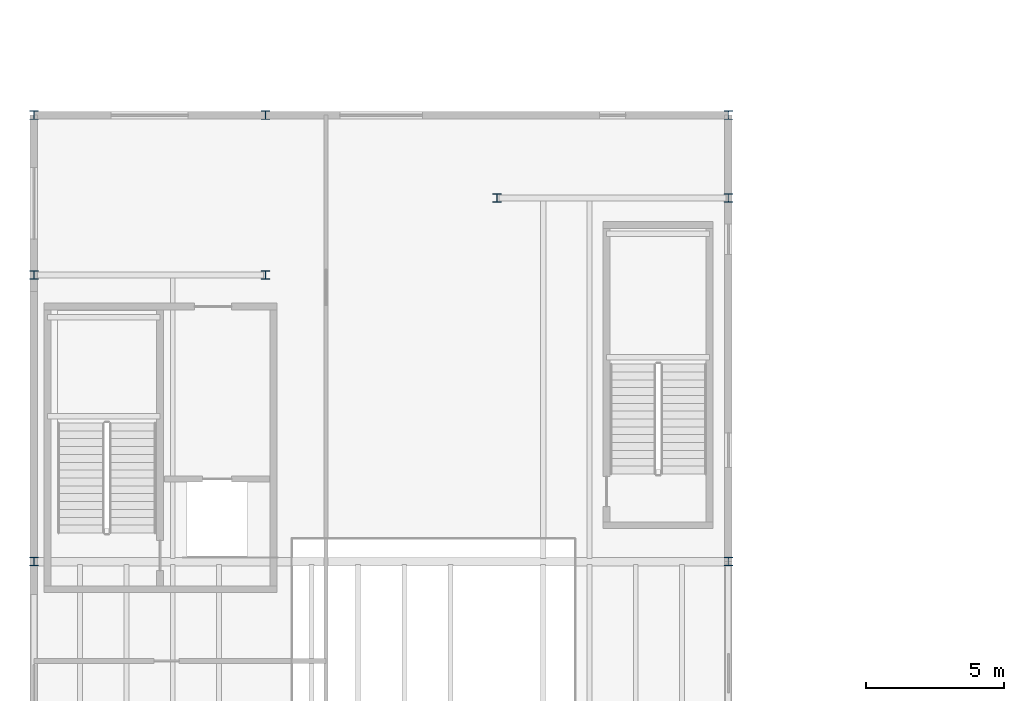
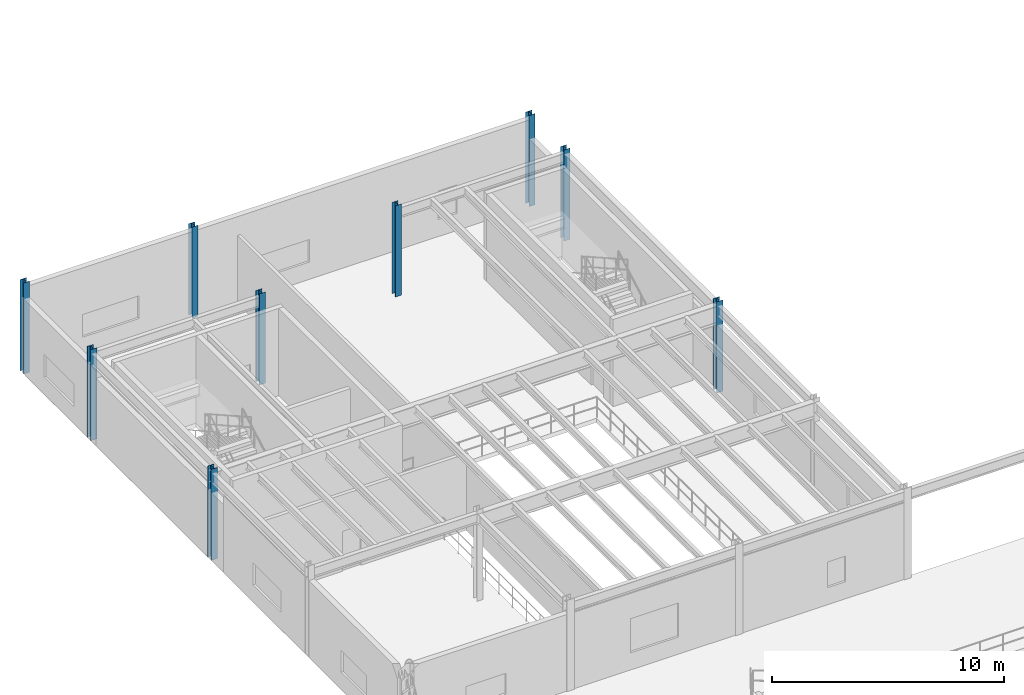
# One storey, part 9 of 105: 9 columns.
"""IFC4 building model written with IfcOpenShell, lengths in metres."""

from ifc_helpers import new_model, si_unit, direction, frame, origin, origin_2d, place, context, subcontext, project, spatial, i_section, extrude, material, material_profile, profile_set, type_object, element, save


model = new_model("IFC4")

# Units and contexts
model_context = context("Model", 3, precision=1e-05, world=origin(), true_north=direction((0.0, 1.0)))
body_context = subcontext(model_context, "Body", "Model", "MODEL_VIEW")
ifc_project = project(units=[si_unit("LENGTHUNIT", "METRE"), si_unit("AREAUNIT", "SQUARE_METRE"), si_unit("VOLUMEUNIT", "CUBIC_METRE"), si_unit("PLANEANGLEUNIT", "RADIAN"), si_unit("MASSUNIT", "GRAM", prefix="KILO")], contexts=[model_context])

# Site, building, storey
site_placement = place(None, origin())
site = spatial("IfcSite", under=ifc_project, at=site_placement, CompositionType="ELEMENT")
building_placement = place(site_placement, origin())
building = spatial("IfcBuilding", under=site, at=building_placement, Name="Selat Folded Stagehouse", CompositionType="ELEMENT")
storey_placement = place(building_placement, frame((0.0, 0.0, 10.199951171875)))
storey = spatial("IfcBuildingStorey", under=building, at=storey_placement, Name="L02", CompositionType="ELEMENT", Elevation=10.199951171875)

# Columns
ifc_material = material(Name="Steel S355", Category="steel")
ifc_material_profile = material_profile(ifc_material, i_section(OverallWidth=0.305419921875, OverallDepth=0.307861328125, WebThickness=0.010009765625, FlangeThickness=0.015380859375, FilletRadius=0.01513671875, at=origin_2d()), Name="UKC 305x305x97")
ifc_profile_set = profile_set([ifc_material_profile], Name="Steel S355")
column_type = type_object("IfcColumnType", Name="COL-UKC-305x305x97", PredefinedType="COLUMN", material=ifc_profile_set)
for number, where, z_axis, x_axis, name in (
    (1, (0.0, 70.800048828125, 0.0), (0.0, 0.0, 1.0), (1.0, 0.0, 0.0), "L02 column STK-V4-02"),
    (2, (0.0, 81.199951171875, 0.0), (0.0, 0.0, 1.0), (1.0, 0.0, 0.0), "L02 column STK-V4-03"),
    (3, (0.0, 87.0, 0.0), (0.0, 0.0, 1.0), (1.0, 0.0, 0.0), "L02 column STK-V4-04"),
    (4, (8.39990234375, 81.199951171875, 0.0), (0.0, 0.0, 1.0), (1.0, 0.0, 0.0), "L02 column STK-V4-06"),
    (5, (8.39990234375, 87.0, 0.0), (0.0, 0.0, 1.0), (1.0, 0.0, 0.0), "L02 column STK-V4-07"),
    (6, (16.800048828125, 84.0, 0.0), (0.0, 0.0, 1.0), (1.0, 0.0, 0.0), "L02 column STK-V4-08"),
    (7, (25.199951171875, 70.800048828125, 0.0), (0.0, 0.0, 1.0), (1.0, 0.0, 0.0), "L02 column STK-V4-11"),
    (8, (25.199951171875, 84.0, 0.0), (0.0, 0.0, 1.0), (1.0, 0.0, 0.0), "L02 column STK-V4-12"),
    (9, (25.199951171875, 87.0, 0.0), (0.0, 0.0, 1.0), (1.0, 0.0, 0.0), "L02 column STK-V4-13"),
):
    element("IfcColumn", number, at=place(storey_placement, frame(where, z_axis=z_axis, x_axis=x_axis)), inside=storey, type_object=column_type, Name=name, PredefinedType="COLUMN", context=body_context, shape_type="SweptSolid", body=[
        extrude(i_section(OverallWidth=0.305419921875, OverallDepth=0.307861328125, WebThickness=0.010009765625, FlangeThickness=0.015380859375, FilletRadius=0.01513671875, at=origin_2d()), origin(), (0.0, 0.0, 1.0), 4.800048828125),
    ])

save(model, "model.ifc")
